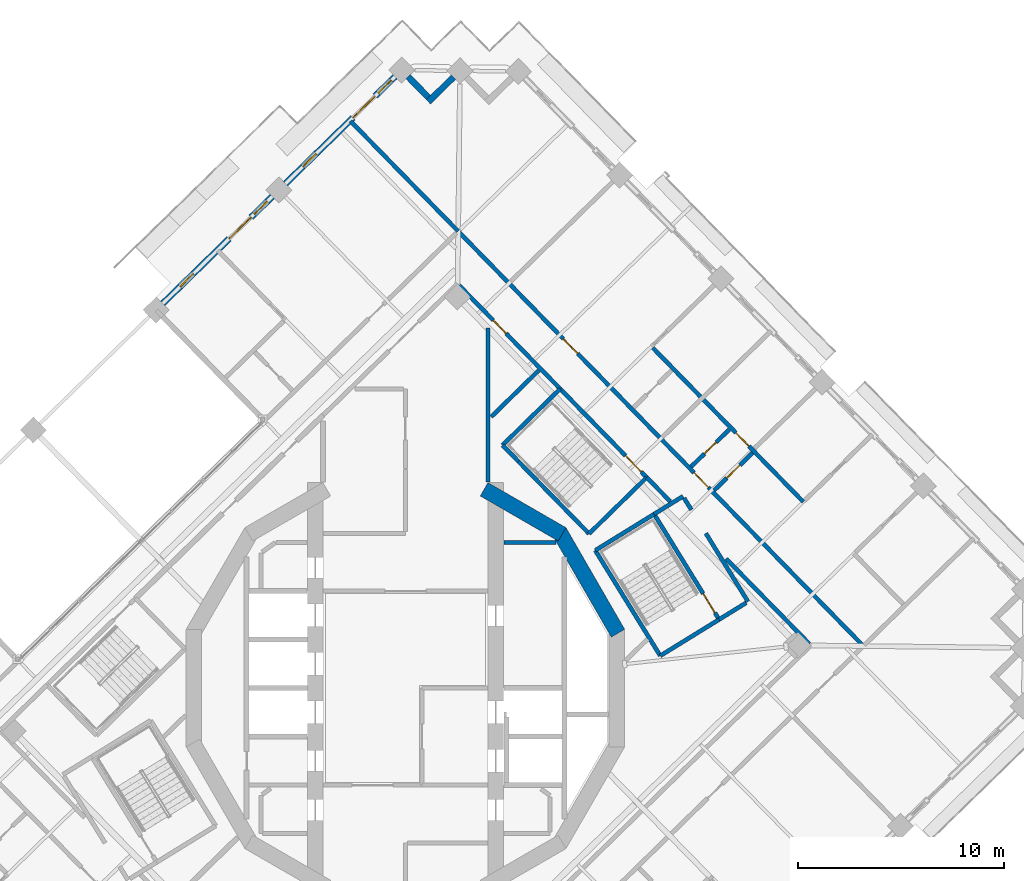
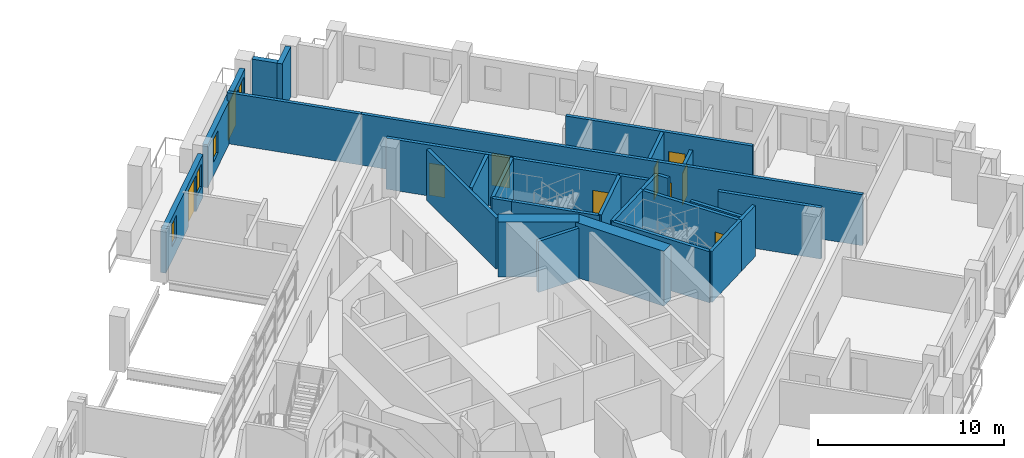
# One storey, part 12 of 21: 30 walls, 10 doors, 4 windows, 14 openings.
"""IFC4 building model written with IfcOpenShell, lengths in metres."""

from ifc_helpers import new_model, si_unit, direction, frame, frame_2d, origin, place, context, subcontext, project, spatial, rectangle, extrude, material, layer, layer_set, type_object, element, fill, save


model = new_model("IFC4")

# Units and contexts
model_context = context("Model", 3, precision=1e-05, world=origin(), true_north=direction((0.0, 1.0)))
body_context = subcontext(model_context, "Body", "Model", "MODEL_VIEW")
ifc_project = project(units=[si_unit("LENGTHUNIT", "METRE"), si_unit("AREAUNIT", "SQUARE_METRE"), si_unit("VOLUMEUNIT", "CUBIC_METRE"), si_unit("PLANEANGLEUNIT", "RADIAN"), si_unit("MASSUNIT", "GRAM", prefix="KILO")], contexts=[model_context])

# Site, building, storey
site_placement = place(None, origin())
site = spatial("IfcSite", under=ifc_project, at=site_placement, CompositionType="ELEMENT")
building_placement = place(site_placement, origin())
building = spatial("IfcBuilding", under=site, at=building_placement, Name="Cantera Rosa Tower", CompositionType="ELEMENT")
storey_placement = place(building_placement, frame((0.0, 0.0, 234.199951171875)))
storey = spatial("IfcBuildingStorey", under=building, at=storey_placement, Name="L51", CompositionType="ELEMENT", Elevation=234.199951171875)

# Wall
ifc_material_1 = material(Name="Gypsum board partition")
ifc_layer_1 = layer(ifc_material_1, 0.199951171875)
ifc_layer_set_1 = layer_set([ifc_layer_1], Name="CORRIDOR WALL 200 H2300")
wall_type_1 = type_object("IfcWallType", Name="CORRIDOR WALL 200 H2300", PredefinedType="PARTITIONING", material=ifc_layer_set_1)
wall_1_placement = place(storey_placement, frame((14.55810546875, 7.5009765625, 0.0), z_axis=(0.0, 0.0, 1.0), x_axis=(0.524986446256, -0.851110586967, 0.0)))
element("IfcWall", 1, at=wall_1_placement, inside=storey, type_object=wall_type_1, Name="CORRIDOR WALL L51-111", PredefinedType="PARTITIONING", context=body_context, shape_type="SweptSolid", body=[
    extrude(rectangle(XDim=3.890625, YDim=0.199951171875, at=frame_2d((1.9453125, 0.0))), origin(), (0.0, 0.0, 1.0), 2.300048828125),
])

# Wall, openings, doors
ifc_material_2 = material(Name="Gypsum board partition")
ifc_layer_2 = layer(ifc_material_2, 0.199951171875)
ifc_layer_set_2 = layer_set([ifc_layer_2], Name="CORRIDOR WALL 200 H3350")
wall_type_2 = type_object("IfcWallType", Name="CORRIDOR WALL 200 H3350", PredefinedType="PARTITIONING", material=ifc_layer_set_2)
wall_2_placement = place(storey_placement, frame((2.56982421875, 22.125244140625, 0.0), z_axis=(0.0, 0.0, 1.0), x_axis=(0.698835160182, -0.715282754506, 0.0)))
wall_2 = element("IfcWall", 2, at=wall_2_placement, inside=storey, type_object=wall_type_2, Name="CORRIDOR WALL L51-072", PredefinedType="PARTITIONING", context=body_context, shape_type="SweptSolid", body=[
    extrude(rectangle(XDim=27.97998046875, YDim=0.199951171875, at=frame_2d((13.989990234375, 0.0))), origin(), (0.0, 0.0, 1.0), 3.35009765625),
])
opening_1_placement = place(wall_2_placement, frame((16.330078125, 0.0, 0.0)))
opening_1 = element("IfcOpeningElement", 3, at=opening_1_placement, cuts=wall_2, Name="Opening L51-025", PredefinedType="OPENING", context=body_context, shape_type="SweptSolid", body=[
    extrude(rectangle(XDim=1.0, YDim=2.10009765625, at=frame_2d((0.5, 1.050048828125))), frame((0.0, 0.10986328125, 0.0), z_axis=(0.0, -1.0, 0.0), x_axis=(1.0, 0.0, 0.0)), (0.0, 0.0, 1.0), 0.219970703125),
])
opening_2_placement = place(wall_2_placement, frame((7.264892578125, 0.0, 0.0)))
opening_2 = element("IfcOpeningElement", 4, at=opening_2_placement, cuts=wall_2, Name="Opening L51-031", PredefinedType="OPENING", context=body_context, shape_type="SweptSolid", body=[
    extrude(rectangle(XDim=1.0, YDim=2.10009765625, at=frame_2d((0.5, 1.050048828125))), frame((0.0, 0.10986328125, 0.0), z_axis=(0.0, -1.0, 0.0), x_axis=(1.0, 0.0, 0.0)), (0.0, 0.0, 1.0), 0.219970703125),
])
ifc_material_3 = material(Name="Timber door leaf", Category="wood")
door_type_1 = type_object("IfcDoorType", Name="ENTRANCE DOOR 1000x2100", OperationType="NOTDEFINED", PredefinedType="DOOR", material=ifc_material_3)
door_1_placement = place(opening_1_placement, origin())
door_1 = element("IfcDoor", 5, at=door_1_placement, inside=storey, type_object=door_type_1, Name="DOOR L51-025", OperationType="NOTDEFINED", OverallHeight=2.10009765625, OverallWidth=1.0, PredefinedType="DOOR", context=body_context, shape_type="SweptSolid", body=[
    extrude(rectangle(XDim=1.0, YDim=2.10009765625, at=frame_2d((0.5, 1.050048828125))), frame((0.0, 0.02490234375, 0.0), z_axis=(0.0, -1.0, 0.0), x_axis=(1.0, 0.0, 0.0)), (0.0, 0.0, 1.0), 0.050048828125),
])
fill(opening_1, door_1)
door_2_placement = place(opening_2_placement, origin())
door_2 = element("IfcDoor", 6, at=door_2_placement, inside=storey, type_object=door_type_1, Name="DOOR L51-031", OperationType="NOTDEFINED", OverallHeight=2.10009765625, OverallWidth=1.0, PredefinedType="DOOR", context=body_context, shape_type="SweptSolid", body=[
    extrude(rectangle(XDim=1.0, YDim=2.10009765625, at=frame_2d((0.5, 1.050048828125))), frame((0.0, 0.02490234375, 0.0), z_axis=(0.0, -1.0, 0.0), x_axis=(1.0, 0.0, 0.0)), (0.0, 0.0, 1.0), 0.050048828125),
])
fill(opening_2, door_2)

# Wall
wall_3_placement = place(storey_placement, frame((4.0, 17.44189453125, 0.0), z_axis=(0.0, 0.0, 1.0), x_axis=(0.0, -1.0, 0.0)))
element("IfcWall", 7, at=wall_3_placement, inside=storey, type_object=wall_type_2, Name="CORRIDOR WALL L51-077", PredefinedType="PARTITIONING", context=body_context, shape_type="SweptSolid", body=[
    extrude(rectangle(XDim=7.44775390625, YDim=0.199951171875, at=frame_2d((3.723876953125, 0.0))), origin(), (0.0, 0.0, 1.0), 3.35009765625),
])

# Wall, opening, door
wall_4_placement = place(storey_placement, frame((7.498779296875, 14.50439453125, 0.0), z_axis=(0.0, 0.0, 1.0), x_axis=(-0.698822589619, 0.715295035799, 0.0)))
wall_4 = element("IfcWall", 8, at=wall_4_placement, inside=storey, type_object=wall_type_2, Name="CORRIDOR WALL L51-088", PredefinedType="PARTITIONING", context=body_context, shape_type="SweptSolid", body=[
    extrude(rectangle(XDim=6.99560546875, YDim=0.199951171875, at=frame_2d((3.497802734375, 0.0))), origin(), (0.0, 0.0, 1.0), 3.35009765625),
])
opening_3_placement = place(wall_4_placement, frame((3.7373046875, 0.0, 0.0)))
opening_3 = element("IfcOpeningElement", 9, at=opening_3_placement, cuts=wall_4, Name="Opening L51-007", PredefinedType="OPENING", context=body_context, shape_type="SweptSolid", body=[
    extrude(rectangle(XDim=0.89990234375, YDim=2.10009765625, at=frame_2d((0.449951171875, 1.050048828125))), frame((0.0, 0.10986328125, 0.0), z_axis=(0.0, -1.0, 0.0), x_axis=(1.0, 0.0, 0.0)), (0.0, 0.0, 1.0), 0.219970703125),
])
ifc_material_4 = material(Name="Timber door leaf", Category="wood")
door_type_2 = type_object("IfcDoorType", Name="SERVICE DOOR 900x2100", OperationType="NOTDEFINED", PredefinedType="DOOR", material=ifc_material_4)
door_3_placement = place(opening_3_placement, origin())
door_3 = element("IfcDoor", 10, at=door_3_placement, inside=storey, type_object=door_type_2, Name="DOOR L51-007", OperationType="NOTDEFINED", OverallHeight=2.10009765625, OverallWidth=0.89990234375, PredefinedType="DOOR", context=body_context, shape_type="SweptSolid", body=[
    extrude(rectangle(XDim=0.89990234375, YDim=2.10009765625, at=frame_2d((0.449951171875, 1.050048828125))), frame((0.0, 0.02490234375, 0.0), z_axis=(0.0, -1.0, 0.0), x_axis=(1.0, 0.0, 0.0)), (0.0, 0.0, 1.0), 0.050048828125),
])
fill(opening_3, door_3)

# Walls
wall_5_placement = place(storey_placement, frame((12.05078125, 8.4326171875, 0.0), z_axis=(0.0, 0.0, 1.0), x_axis=(0.851076929832, 0.525041007453, 0.0)))
element("IfcWall", 11, at=wall_5_placement, inside=storey, type_object=wall_type_2, Name="CORRIDOR WALL L51-105", PredefinedType="PARTITIONING", context=body_context, shape_type="SweptSolid", body=[
    extrude(rectangle(XDim=1.645263671875, YDim=0.199951171875, at=frame_2d((0.82275390625, 0.0))), origin(), (0.0, 0.0, 1.0), 3.35009765625),
])
wall_6_placement = place(storey_placement, frame((12.828125, 9.0498046875, 0.0), z_axis=(0.0, 0.0, 1.0), x_axis=(-0.698800279723, 0.715316831242, 0.0)))
element("IfcWall", 12, at=wall_6_placement, inside=storey, type_object=wall_type_2, Name="CORRIDOR WALL L51-109", PredefinedType="PARTITIONING", context=body_context, shape_type="SweptSolid", body=[
    extrude(rectangle(XDim=1.6259765625, YDim=0.199951171875, at=frame_2d((0.81298828125, 0.0))), origin(), (0.0, 0.0, 1.0), 3.35009765625),
])
wall_7_placement = place(storey_placement, frame((13.50341796875, 9.211181640625, 0.0), z_axis=(0.0, 0.0, 1.0), x_axis=(0.52487540685, -0.851179068871, 0.0)))
element("IfcWall", 13, at=wall_7_placement, inside=storey, type_object=wall_type_2, Name="CORRIDOR WALL L51-110", PredefinedType="PARTITIONING", context=body_context, shape_type="SweptSolid", body=[
    extrude(rectangle(XDim=0.6650390625, YDim=0.199951171875, at=frame_2d((0.33251953125, 0.0))), origin(), (0.0, 0.0, 1.0), 3.35009765625),
])
wall_8_placement = place(storey_placement, frame((15.20068359375, 3.325927734375, 0.0), z_axis=(0.0, 0.0, 1.0), x_axis=(0.851055543597, 0.525075672368, 0.0)))
element("IfcWall", 14, at=wall_8_placement, inside=storey, type_object=wall_type_2, Name="CORRIDOR WALL L51-114", PredefinedType="PARTITIONING", context=body_context, shape_type="SweptSolid", body=[
    extrude(rectangle(XDim=1.545166015625, YDim=0.199951171875, at=frame_2d((0.7724609375, 0.0))), origin(), (0.0, 0.0, 1.0), 3.35009765625),
])
wall_9_placement = place(storey_placement, frame((19.57763671875, 2.14111328125, 0.0), z_axis=(0.0, 0.0, 1.0), x_axis=(-0.698830151438, 0.715287648042, 0.0)))
element("IfcWall", 15, at=wall_9_placement, inside=storey, type_object=wall_type_2, Name="CORRIDOR WALL L51-120", PredefinedType="PARTITIONING", context=body_context, shape_type="SweptSolid", body=[
    extrude(rectangle(XDim=5.770751953125, YDim=0.199951171875, at=frame_2d((2.88525390625, 0.0))), origin(), (0.0, 0.0, 1.0), 3.35009765625),
])
ifc_material_5 = material(Name="Hollow clay masonry with cantera stone cladding", Category="masonry")
ifc_layer_3 = layer(ifc_material_5, 0.300048828125)
ifc_layer_set_3 = layer_set([ifc_layer_3], Name="EW-LOGGIA 300")
wall_type_3 = type_object("IfcWallType", Name="EW-LOGGIA 300", PredefinedType="SOLIDWALL", material=ifc_layer_set_3)
wall_10_placement = place(storey_placement, frame((2.324462890625, 29.602783203125, 0.0), z_axis=(0.0, 0.0, 1.0), x_axis=(-0.715316077832, -0.69880105094, 0.0)))
element("IfcWall", 16, at=wall_10_placement, inside=storey, type_object=wall_type_3, Name="EN-L51-W06a", PredefinedType="SOLIDWALL", context=body_context, shape_type="SweptSolid", body=[
    extrude(rectangle(XDim=1.699951171875, YDim=0.300048828125, at=frame_2d((0.85009765625, 0.0))), origin(), (0.0, 0.0, 1.0), 3.300048828125),
])
wall_11_placement = place(storey_placement, frame((1.111083984375, 28.626953125, 0.0), z_axis=(0.0, 0.0, 1.0), x_axis=(-0.698951192766, 0.71516937164, 0.0)))
element("IfcWall", 17, at=wall_11_placement, inside=storey, type_object=wall_type_3, Name="EN-L51-W06b", PredefinedType="SOLIDWALL", context=body_context, shape_type="SweptSolid", body=[
    extrude(rectangle(XDim=1.39990234375, YDim=0.300048828125, at=frame_2d((0.699951171875, 0.0))), origin(), (0.0, 0.0, 1.0), 3.300048828125),
])

# Wall, openings, windows, door
ifc_material_6 = material(Name="Hollow clay masonry with cantera stone cladding", Category="masonry")
ifc_layer_4 = layer(ifc_material_6, 0.300048828125)
ifc_layer_set_4 = layer_set([ifc_layer_4], Name="EW-LOGGIA 300 H2820")
wall_type_4 = type_object("IfcWallType", Name="EW-LOGGIA 300 H2820", PredefinedType="SOLIDWALL", material=ifc_layer_set_4)
wall_12_placement = place(storey_placement, frame((-0.503662109375, 29.6357421875, 0.0), z_axis=(0.0, 0.0, 1.0), x_axis=(-0.715284379566, -0.698833496871, 0.0)))
wall_12 = element("IfcWall", 18, at=wall_12_placement, inside=storey, type_object=wall_type_4, Name="EN-L51-W07", PredefinedType="SOLIDWALL", context=body_context, shape_type="SweptSolid", body=[
    extrude(rectangle(XDim=7.42041015625, YDim=0.300048828125, at=frame_2d((3.710205078125, 0.0))), origin(), (0.0, 0.0, 1.0), 2.820068359375),
])
opening_4_placement = place(wall_12_placement, frame((0.25, 0.0, 0.89990234375)))
opening_4 = element("IfcOpeningElement", 19, at=opening_4_placement, cuts=wall_12, Name="Opening L51-W13", PredefinedType="OPENING", context=body_context, shape_type="SweptSolid", body=[
    extrude(rectangle(XDim=0.89990234375, YDim=1.5, at=frame_2d((0.449951171875, 0.75))), frame((0.0, 0.159912109375, 0.0), z_axis=(0.0, -1.0, 0.0), x_axis=(1.0, 0.0, 0.0)), (0.0, 0.0, 1.0), 0.320068359375),
])
opening_5_placement = place(wall_12_placement, frame((1.35009765625, 0.0, 0.0)))
opening_5 = element("IfcOpeningElement", 20, at=opening_5_placement, cuts=wall_12, Name="Opening L51-TD14", PredefinedType="OPENING", context=body_context, shape_type="SweptSolid", body=[
    extrude(rectangle(XDim=1.5, YDim=2.39990234375, at=frame_2d((0.75, 1.199951171875))), frame((0.0, 0.159912109375, 0.0), z_axis=(0.0, -1.0, 0.0), x_axis=(1.0, 0.0, 0.0)), (0.0, 0.0, 1.0), 0.320068359375),
])
opening_6_placement = place(wall_12_placement, frame((5.340087890625, 0.0, 0.89990234375)))
opening_6 = element("IfcOpeningElement", 21, at=opening_6_placement, cuts=wall_12, Name="Opening L51-W15", PredefinedType="OPENING", context=body_context, shape_type="SweptSolid", body=[
    extrude(rectangle(XDim=0.89990234375, YDim=1.5, at=frame_2d((0.449951171875, 0.75))), frame((0.0, 0.159912109375, 0.0), z_axis=(0.0, -1.0, 0.0), x_axis=(1.0, 0.0, 0.0)), (0.0, 0.0, 1.0), 0.320068359375),
])
ifc_material_7 = material(Name="Aluminium frame with clear glass", Category="aluminium")
window_type = type_object("IfcWindowType", Name="Residential window 900x1500", PartitioningType="SINGLE_PANEL", PredefinedType="WINDOW", material=ifc_material_7)
window_1_placement = place(opening_4_placement, origin())
window_1 = element("IfcWindow", 22, at=window_1_placement, inside=storey, type_object=window_type, Name="WINDOW L51-W13", OverallHeight=1.5, OverallWidth=0.89990234375, PartitioningType="SINGLE_PANEL", PredefinedType="WINDOW", context=body_context, shape_type="SweptSolid", body=[
    extrude(rectangle(XDim=0.89990234375, YDim=1.5, at=frame_2d((0.449951171875, 0.75))), frame((0.0, 0.030029296875, 0.0), z_axis=(0.0, -1.0, 0.0), x_axis=(1.0, 0.0, 0.0)), (0.0, 0.0, 1.0), 0.06005859375),
])
fill(opening_4, window_1)
window_2_placement = place(opening_6_placement, origin())
window_2 = element("IfcWindow", 23, at=window_2_placement, inside=storey, type_object=window_type, Name="WINDOW L51-W15", OverallHeight=1.5, OverallWidth=0.89990234375, PartitioningType="SINGLE_PANEL", PredefinedType="WINDOW", context=body_context, shape_type="SweptSolid", body=[
    extrude(rectangle(XDim=0.89990234375, YDim=1.5, at=frame_2d((0.449951171875, 0.75))), frame((0.0, 0.030029296875, 0.0), z_axis=(0.0, -1.0, 0.0), x_axis=(1.0, 0.0, 0.0)), (0.0, 0.0, 1.0), 0.06005859375),
])
fill(opening_6, window_2)
ifc_material_8 = material(Name="Aluminium frame with clear glass", Category="aluminium")
door_type_3 = type_object("IfcDoorType", Name="TD-R 1500x2400", OperationType="NOTDEFINED", PredefinedType="DOOR", material=ifc_material_8)
door_4_placement = place(opening_5_placement, origin())
door_4 = element("IfcDoor", 24, at=door_4_placement, inside=storey, type_object=door_type_3, Name="LOGGIA DOOR L51-TD14", OperationType="SLIDING_TO_LEFT", OverallHeight=2.39990234375, OverallWidth=1.5, PredefinedType="DOOR", context=body_context, shape_type="SweptSolid", body=[
    extrude(rectangle(XDim=1.5, YDim=2.39990234375, at=frame_2d((0.75, 1.199951171875))), frame((0.0, 0.02490234375, 0.0), z_axis=(0.0, -1.0, 0.0), x_axis=(1.0, 0.0, 0.0)), (0.0, 0.0, 1.0), 0.050048828125),
])
fill(opening_5, door_4)

wall_13_placement = place(storey_placement, frame((-6.454833984375, 23.8212890625, 0.0), z_axis=(0.0, 0.0, 1.0), x_axis=(-0.715300826176, -0.698816662703, 0.0)))
wall_13 = element("IfcWall", 25, at=wall_13_placement, inside=storey, type_object=wall_type_4, Name="EN-L51-W08", PredefinedType="SOLIDWALL", context=body_context, shape_type="SweptSolid", body=[
    extrude(rectangle(XDim=7.420166015625, YDim=0.300048828125, at=frame_2d((3.7099609375, 0.0))), origin(), (0.0, 0.0, 1.0), 2.820068359375),
])
opening_7_placement = place(wall_13_placement, frame((0.330078125, 0.0, 0.89990234375)))
opening_7 = element("IfcOpeningElement", 26, at=opening_7_placement, cuts=wall_13, Name="Opening L51-W16", PredefinedType="OPENING", context=body_context, shape_type="SweptSolid", body=[
    extrude(rectangle(XDim=0.89990234375, YDim=1.5, at=frame_2d((0.449951171875, 0.75))), frame((0.0, 0.159912109375, 0.0), z_axis=(0.0, -1.0, 0.0), x_axis=(1.0, 0.0, 0.0)), (0.0, 0.0, 1.0), 0.320068359375),
])
opening_8_placement = place(wall_13_placement, frame((1.429931640625, 0.0, 0.0)))
opening_8 = element("IfcOpeningElement", 27, at=opening_8_placement, cuts=wall_13, Name="Opening L51-TD17", PredefinedType="OPENING", context=body_context, shape_type="SweptSolid", body=[
    extrude(rectangle(XDim=1.5, YDim=2.39990234375, at=frame_2d((0.75, 1.199951171875))), frame((0.0, 0.159912109375, 0.0), z_axis=(0.0, -1.0, 0.0), x_axis=(1.0, 0.0, 0.0)), (0.0, 0.0, 1.0), 0.320068359375),
])
opening_9_placement = place(wall_13_placement, frame((5.340087890625, 0.0, 0.89990234375)))
opening_9 = element("IfcOpeningElement", 28, at=opening_9_placement, cuts=wall_13, Name="Opening L51-W18", PredefinedType="OPENING", context=body_context, shape_type="SweptSolid", body=[
    extrude(rectangle(XDim=0.89990234375, YDim=1.5, at=frame_2d((0.449951171875, 0.75))), frame((0.0, 0.159912109375, 0.0), z_axis=(0.0, -1.0, 0.0), x_axis=(1.0, 0.0, 0.0)), (0.0, 0.0, 1.0), 0.320068359375),
])
window_3_placement = place(opening_7_placement, origin())
window_3 = element("IfcWindow", 29, at=window_3_placement, inside=storey, type_object=window_type, Name="WINDOW L51-W16", OverallHeight=1.5, OverallWidth=0.89990234375, PartitioningType="SINGLE_PANEL", PredefinedType="WINDOW", context=body_context, shape_type="SweptSolid", body=[
    extrude(rectangle(XDim=0.89990234375, YDim=1.5, at=frame_2d((0.449951171875, 0.75))), frame((0.0, 0.030029296875, 0.0), z_axis=(0.0, -1.0, 0.0), x_axis=(1.0, 0.0, 0.0)), (0.0, 0.0, 1.0), 0.06005859375),
])
fill(opening_7, window_3)
window_4_placement = place(opening_9_placement, origin())
window_4 = element("IfcWindow", 30, at=window_4_placement, inside=storey, type_object=window_type, Name="WINDOW L51-W18", OverallHeight=1.5, OverallWidth=0.89990234375, PartitioningType="SINGLE_PANEL", PredefinedType="WINDOW", context=body_context, shape_type="SweptSolid", body=[
    extrude(rectangle(XDim=0.89990234375, YDim=1.5, at=frame_2d((0.449951171875, 0.75))), frame((0.0, 0.030029296875, 0.0), z_axis=(0.0, -1.0, 0.0), x_axis=(1.0, 0.0, 0.0)), (0.0, 0.0, 1.0), 0.06005859375),
])
fill(opening_9, window_4)
door_5_placement = place(opening_8_placement, origin())
door_5 = element("IfcDoor", 31, at=door_5_placement, inside=storey, type_object=door_type_3, Name="LOGGIA DOOR L51-TD17", OperationType="SLIDING_TO_LEFT", OverallHeight=2.39990234375, OverallWidth=1.5, PredefinedType="DOOR", context=body_context, shape_type="SweptSolid", body=[
    extrude(rectangle(XDim=1.5, YDim=2.39990234375, at=frame_2d((0.75, 1.199951171875))), frame((0.0, 0.02490234375, 0.0), z_axis=(0.0, -1.0, 0.0), x_axis=(1.0, 0.0, 0.0)), (0.0, 0.0, 1.0), 0.050048828125),
])
fill(opening_8, door_5)

# Wall, opening, door
ifc_material_9 = material(Name="Gypsum board partition")
ifc_layer_5 = layer(ifc_material_9, 0.199951171875)
ifc_layer_set_5 = layer_set([ifc_layer_5], Name="PARTITION 200 H2450")
wall_type_5 = type_object("IfcWallType", Name="PARTITION 200 H2450", PredefinedType="PARTITIONING", material=ifc_layer_set_5)
wall_14_placement = place(storey_placement, frame((16.821533203125, 11.401611328125, 0.0), z_axis=(0.0, 0.0, 1.0), x_axis=(-0.715275742918, -0.69884233672, 0.0)))
wall_14 = element("IfcWall", 32, at=wall_14_placement, inside=storey, type_object=wall_type_5, Name="PARTITION L51-116", PredefinedType="PARTITIONING", context=body_context, shape_type="SweptSolid", body=[
    extrude(rectangle(XDim=2.599853515625, YDim=0.199951171875, at=frame_2d((1.2998046875, 0.0))), origin(), (0.0, 0.0, 1.0), 2.449951171875),
])
opening_10_placement = place(wall_14_placement, frame((0.85009765625, 0.0, 0.0)))
opening_10 = element("IfcOpeningElement", 33, at=opening_10_placement, cuts=wall_14, Name="Opening L51-027", PredefinedType="OPENING", context=body_context, shape_type="SweptSolid", body=[
    extrude(rectangle(XDim=0.89990234375, YDim=2.10009765625, at=frame_2d((0.449951171875, 1.050048828125))), frame((0.0, 0.10986328125, 0.0), z_axis=(0.0, -1.0, 0.0), x_axis=(1.0, 0.0, 0.0)), (0.0, 0.0, 1.0), 0.219970703125),
])
ifc_material_10 = material(Name="Timber door leaf", Category="wood")
door_type_4 = type_object("IfcDoorType", Name="ROOM DOOR 900x2100", OperationType="NOTDEFINED", PredefinedType="DOOR", material=ifc_material_10)
door_6_placement = place(opening_10_placement, origin())
door_6 = element("IfcDoor", 34, at=door_6_placement, inside=storey, type_object=door_type_4, Name="DOOR L51-027", OperationType="NOTDEFINED", OverallHeight=2.10009765625, OverallWidth=0.89990234375, PredefinedType="DOOR", context=body_context, shape_type="SweptSolid", body=[
    extrude(rectangle(XDim=0.89990234375, YDim=2.10009765625, at=frame_2d((0.449951171875, 1.050048828125))), frame((0.0, 0.02490234375, 0.0), z_axis=(0.0, -1.0, 0.0), x_axis=(1.0, 0.0, 0.0)), (0.0, 0.0, 1.0), 0.050048828125),
])
fill(opening_10, door_6)

# Walls
ifc_material_11 = material(Name="Gypsum board partition")
ifc_layer_6 = layer(ifc_material_11, 0.199951171875)
ifc_layer_set_6 = layer_set([ifc_layer_6], Name="PARTITION 200 H3350")
wall_type_6 = type_object("IfcWallType", Name="PARTITION 200 H3350", PredefinedType="PARTITIONING", material=ifc_layer_set_6)
wall_15_placement = place(storey_placement, frame((-2.664306640625, 27.482666015625, 0.0), z_axis=(0.0, 0.0, 1.0), x_axis=(0.698839096465, -0.715278908715, 0.0)))
element("IfcWall", 35, at=wall_15_placement, inside=storey, type_object=wall_type_6, Name="PARTITION L51-052", PredefinedType="PARTITIONING", context=body_context, shape_type="SweptSolid", body=[
    extrude(rectangle(XDim=7.4697265625, YDim=0.199951171875, at=frame_2d((3.73486328125, 0.0))), origin(), (0.0, 0.0, 1.0), 3.35009765625),
])
wall_16_placement = place(storey_placement, frame((4.780029296875, 7.050048828125, 0.0), z_axis=(0.0, 0.0, 1.0), x_axis=(1.0, 0.0, 0.0)))
element("IfcWall", 36, at=wall_16_placement, inside=storey, type_object=wall_type_6, Name="PARTITION L51-080", PredefinedType="PARTITIONING", context=body_context, shape_type="SweptSolid", body=[
    extrude(rectangle(XDim=2.517822265625, YDim=0.199951171875, at=frame_2d((1.2587890625, 0.0))), origin(), (0.0, 0.0, 1.0), 3.35009765625),
])
wall_17_placement = place(storey_placement, frame((6.458740234375, 15.3974609375, 0.0), z_axis=(0.0, 0.0, 1.0), x_axis=(-0.715254439493, -0.698864140434, 0.0)))
element("IfcWall", 37, at=wall_17_placement, inside=storey, type_object=wall_type_6, Name="PARTITION L51-085", PredefinedType="PARTITIONING", context=body_context, shape_type="SweptSolid", body=[
    extrude(rectangle(XDim=3.217529296875, YDim=0.199951171875, at=frame_2d((1.60888671875, 0.0))), origin(), (0.0, 0.0, 1.0), 3.35009765625),
])

# Wall, opening, door
wall_18_placement = place(storey_placement, frame((11.994140625, 16.485595703125, 0.0), z_axis=(0.0, 0.0, 1.0), x_axis=(0.698843147981, -0.715274950295, 0.0)))
wall_18 = element("IfcWall", 38, at=wall_18_placement, inside=storey, type_object=wall_type_6, Name="PARTITION L51-104", PredefinedType="PARTITIONING", context=body_context, shape_type="SweptSolid", body=[
    extrude(rectangle(XDim=10.43017578125, YDim=0.199951171875, at=frame_2d((5.215087890625, 0.0))), origin(), (0.0, 0.0, 1.0), 3.35009765625),
])
opening_11_placement = place(wall_18_placement, frame((5.760009765625, 0.0, 0.0)))
opening_11 = element("IfcOpeningElement", 39, at=opening_11_placement, cuts=wall_18, Name="Opening L51-028", PredefinedType="OPENING", context=body_context, shape_type="SweptSolid", body=[
    extrude(rectangle(XDim=0.89990234375, YDim=2.10009765625, at=frame_2d((0.449951171875, 1.050048828125))), frame((0.0, 0.10986328125, 0.0), z_axis=(0.0, -1.0, 0.0), x_axis=(1.0, 0.0, 0.0)), (0.0, 0.0, 1.0), 0.219970703125),
])
door_7_placement = place(opening_11_placement, origin())
door_7 = element("IfcDoor", 40, at=door_7_placement, inside=storey, type_object=door_type_4, Name="DOOR L51-028", OperationType="NOTDEFINED", OverallHeight=2.10009765625, OverallWidth=0.89990234375, PredefinedType="DOOR", context=body_context, shape_type="SweptSolid", body=[
    extrude(rectangle(XDim=0.89990234375, YDim=2.10009765625, at=frame_2d((0.449951171875, 1.050048828125))), frame((0.0, 0.02490234375, 0.0), z_axis=(0.0, -1.0, 0.0), x_axis=(1.0, 0.0, 0.0)), (0.0, 0.0, 1.0), 0.050048828125),
])
fill(opening_11, door_7)

wall_19_placement = place(storey_placement, frame((15.689208984375, 12.531982421875, 0.0), z_axis=(0.0, 0.0, 1.0), x_axis=(-0.715337680074, -0.69877893748, 0.0)))
wall_19 = element("IfcWall", 41, at=wall_19_placement, inside=storey, type_object=wall_type_6, Name="PARTITION L51-115", PredefinedType="PARTITIONING", context=body_context, shape_type="SweptSolid", body=[
    extrude(rectangle(XDim=2.580078125, YDim=0.199951171875, at=frame_2d((1.2900390625, 0.0))), origin(), (0.0, 0.0, 1.0), 3.35009765625),
])
opening_12_placement = place(wall_19_placement, frame((0.8798828125, 0.0, 0.0)))
opening_12 = element("IfcOpeningElement", 42, at=opening_12_placement, cuts=wall_19, Name="Opening L51-026", PredefinedType="OPENING", context=body_context, shape_type="SweptSolid", body=[
    extrude(rectangle(XDim=0.800048828125, YDim=2.10009765625, at=frame_2d((0.39990234375, 1.050048828125))), frame((0.0, 0.10986328125, 0.0), z_axis=(0.0, -1.0, 0.0), x_axis=(1.0, 0.0, 0.0)), (0.0, 0.0, 1.0), 0.219970703125),
])
ifc_material_12 = material(Name="Timber door leaf", Category="wood")
door_type_5 = type_object("IfcDoorType", Name="BATHROOM DOOR 800x2100", OperationType="NOTDEFINED", PredefinedType="DOOR", material=ifc_material_12)
door_8_placement = place(opening_12_placement, origin())
door_8 = element("IfcDoor", 43, at=door_8_placement, inside=storey, type_object=door_type_5, Name="DOOR L51-026", OperationType="NOTDEFINED", OverallHeight=2.10009765625, OverallWidth=0.800048828125, PredefinedType="DOOR", context=body_context, shape_type="SweptSolid", body=[
    extrude(rectangle(XDim=0.800048828125, YDim=2.10009765625, at=frame_2d((0.39990234375, 1.050048828125))), frame((0.0, 0.02490234375, 0.0), z_axis=(0.0, -1.0, 0.0), x_axis=(1.0, 0.0, 0.0)), (0.0, 0.0, 1.0), 0.050048828125),
])
fill(opening_12, door_8)

# Walls
ifc_material_13 = material(Name="Concrete C60/75", Category="concrete")
ifc_layer_7 = layer(ifc_material_13, 0.75)
ifc_layer_set_7 = layer_set([ifc_layer_7], Name="RC CORE WALL 750 C60/75")
wall_type_7 = type_object("IfcWallType", Name="RC CORE WALL 750 C60/75", PredefinedType="SHEAR", material=ifc_layer_set_7)
wall_20_placement = place(storey_placement, frame((3.8125, 9.634765625, 0.0), z_axis=(0.0, 0.0, 1.0), x_axis=(0.866013176292, -0.50002117804, 0.0)))
element("IfcWall", 44, at=wall_20_placement, inside=storey, type_object=wall_type_7, Name="CW-E1 L51", PredefinedType="SHEAR", context=body_context, shape_type="SweptSolid", body=[
    extrude(rectangle(XDim=4.362548828125, YDim=0.75, at=frame_2d((2.18115234375, 0.0))), origin(), (0.0, 0.0, 1.0), 3.60009765625),
])
wall_21_placement = place(storey_placement, frame((7.453369140625, 7.590576171875, 0.0), z_axis=(0.0, 0.0, 1.0), x_axis=(0.500021842983, -0.866012792365, 0.0)))
element("IfcWall", 45, at=wall_21_placement, inside=storey, type_object=wall_type_7, Name="CW-E2 L51", PredefinedType="SHEAR", context=body_context, shape_type="SweptSolid", body=[
    extrude(rectangle(XDim=5.694091796875, YDim=0.75, at=frame_2d((2.84716796875, 0.0))), origin(), (0.0, 0.0, 1.0), 3.60009765625),
])
ifc_material_14 = material(Name="Concrete C50/60", Category="concrete")
ifc_layer_8 = layer(ifc_material_14, 0.199951171875)
ifc_layer_set_8 = layer_set([ifc_layer_8], Name="STAIR WALL 200 H3350")
wall_type_8 = type_object("IfcWallType", Name="STAIR WALL 200 H3350", PredefinedType="SOLIDWALL", material=ifc_layer_set_8)
wall_22_placement = place(storey_placement, frame((4.705322265625, 11.775390625, 0.0), z_axis=(0.0, 0.0, 1.0), x_axis=(0.715310770212, 0.698806483956, 0.0)))
element("IfcWall", 46, at=wall_22_placement, inside=storey, type_object=wall_type_8, Name="STAIR WALL L51-078", PredefinedType="SOLIDWALL", context=body_context, shape_type="SweptSolid", body=[
    extrude(rectangle(XDim=3.9052734375, YDim=0.199951171875, at=frame_2d((1.95263671875, 0.0))), origin(), (0.0, 0.0, 1.0), 3.35009765625),
])
wall_23_placement = place(storey_placement, frame((8.8984375, 7.483642578125, 0.0), z_axis=(0.0, 0.0, 1.0), x_axis=(-0.698837952642, 0.715280026246, 0.0)))
element("IfcWall", 47, at=wall_23_placement, inside=storey, type_object=wall_type_8, Name="STAIR WALL L51-094", PredefinedType="SOLIDWALL", context=body_context, shape_type="SweptSolid", body=[
    extrude(rectangle(XDim=4.89990234375, YDim=0.199951171875, at=frame_2d((2.449951171875, 0.0))), origin(), (0.0, 0.0, 1.0), 3.35009765625),
])
wall_24_placement = place(storey_placement, frame((9.199462890625, 6.674072265625, 0.0), z_axis=(0.0, 0.0, 1.0), x_axis=(0.85113993661, 0.524938861495, 0.0)))
element("IfcWall", 48, at=wall_24_placement, inside=storey, type_object=wall_type_8, Name="STAIR WALL L51-095", PredefinedType="SOLIDWALL", context=body_context, shape_type="SweptSolid", body=[
    extrude(rectangle(XDim=3.35009765625, YDim=0.199951171875, at=frame_2d((1.675048828125, 0.0))), origin(), (0.0, 0.0, 1.0), 3.35009765625),
])
wall_25_placement = place(storey_placement, frame((9.199462890625, 6.674072265625, 0.0), z_axis=(0.0, 0.0, 1.0), x_axis=(0.524982543144, -0.851112994493, 0.0)))
element("IfcWall", 49, at=wall_25_placement, inside=storey, type_object=wall_type_8, Name="STAIR WALL L51-096", PredefinedType="SOLIDWALL", context=body_context, shape_type="SweptSolid", body=[
    extrude(rectangle(XDim=6.0, YDim=0.199951171875, at=frame_2d((3.0, 0.0))), origin(), (0.0, 0.0, 1.0), 3.35009765625),
])

# Wall, opening, door
wall_26_placement = place(storey_placement, frame((11.69189453125, 10.212890625, 0.0), z_axis=(0.0, 0.0, 1.0), x_axis=(-0.698860098963, 0.71525838833, 0.0)))
wall_26 = element("IfcWall", 50, at=wall_26_placement, inside=storey, type_object=wall_type_8, Name="STAIR WALL L51-101", PredefinedType="SOLIDWALL", context=body_context, shape_type="SweptSolid", body=[
    extrude(rectangle(XDim=6.0, YDim=0.199951171875, at=frame_2d((3.0, 0.0))), origin(), (0.0, 0.0, 1.0), 3.35009765625),
])
opening_13_placement = place(wall_26_placement, frame((0.375, 0.0, 0.0)))
opening_13 = element("IfcOpeningElement", 51, at=opening_13_placement, cuts=wall_26, Name="Opening L51-003", PredefinedType="OPENING", context=body_context, shape_type="SweptSolid", body=[
    extrude(rectangle(XDim=1.10009765625, YDim=2.10009765625, at=frame_2d((0.550048828125, 1.050048828125))), frame((0.0, 0.10986328125, 0.0), z_axis=(0.0, -1.0, 0.0), x_axis=(1.0, 0.0, 0.0)), (0.0, 0.0, 1.0), 0.219970703125),
])
ifc_material_15 = material(Name="Steel S355J2 (EN 10025-2)", Category="steel")
door_type_6 = type_object("IfcDoorType", Name="STAIR DOOR 1100x2100", OperationType="NOTDEFINED", PredefinedType="DOOR", material=ifc_material_15)
door_9_placement = place(opening_13_placement, origin())
door_9 = element("IfcDoor", 52, at=door_9_placement, inside=storey, type_object=door_type_6, Name="DOOR L51-003", OperationType="NOTDEFINED", OverallHeight=2.10009765625, OverallWidth=1.10009765625, PredefinedType="DOOR", context=body_context, shape_type="SweptSolid", body=[
    extrude(rectangle(XDim=1.10009765625, YDim=2.10009765625, at=frame_2d((0.550048828125, 1.050048828125))), frame((0.0, 0.02490234375, 0.0), z_axis=(0.0, -1.0, 0.0), x_axis=(1.0, 0.0, 0.0)), (0.0, 0.0, 1.0), 0.050048828125),
])
fill(opening_13, door_9)

# Wall
wall_27_placement = place(storey_placement, frame((11.69189453125, 10.212890625, 0.0), z_axis=(0.0, 0.0, 1.0), x_axis=(-0.715279521258, -0.698838469511, 0.0)))
element("IfcWall", 53, at=wall_27_placement, inside=storey, type_object=wall_type_8, Name="STAIR WALL L51-102", PredefinedType="SOLIDWALL", context=body_context, shape_type="SweptSolid", body=[
    extrude(rectangle(XDim=3.905517578125, YDim=0.199951171875, at=frame_2d((1.95263671875, 0.0))), origin(), (0.0, 0.0, 1.0), 3.35009765625),
])

# Wall, opening, door
wall_28_placement = place(storey_placement, frame((12.05078125, 8.4326171875, 0.0), z_axis=(0.0, 0.0, 1.0), x_axis=(0.524982543144, -0.851112994493, 0.0)))
wall_28 = element("IfcWall", 54, at=wall_28_placement, inside=storey, type_object=wall_type_8, Name="STAIR WALL L51-106", PredefinedType="SOLIDWALL", context=body_context, shape_type="SweptSolid", body=[
    extrude(rectangle(XDim=6.0, YDim=0.199951171875, at=frame_2d((3.0, 0.0))), origin(), (0.0, 0.0, 1.0), 3.35009765625),
])
opening_14_placement = place(wall_28_placement, frame((4.52490234375, 0.0, 0.0)))
opening_14 = element("IfcOpeningElement", 55, at=opening_14_placement, cuts=wall_28, Name="Opening L51-001", PredefinedType="OPENING", context=body_context, shape_type="SweptSolid", body=[
    extrude(rectangle(XDim=1.10009765625, YDim=2.10009765625, at=frame_2d((0.550048828125, 1.050048828125))), frame((0.0, 0.10986328125, 0.0), z_axis=(0.0, -1.0, 0.0), x_axis=(1.0, 0.0, 0.0)), (0.0, 0.0, 1.0), 0.219970703125),
])
door_10_placement = place(opening_14_placement, origin())
door_10 = element("IfcDoor", 56, at=door_10_placement, inside=storey, type_object=door_type_6, Name="DOOR L51-001", OperationType="NOTDEFINED", OverallHeight=2.10009765625, OverallWidth=1.10009765625, PredefinedType="DOOR", context=body_context, shape_type="SweptSolid", body=[
    extrude(rectangle(XDim=1.10009765625, YDim=2.10009765625, at=frame_2d((0.550048828125, 1.050048828125))), frame((0.0, 0.02490234375, 0.0), z_axis=(0.0, -1.0, 0.0), x_axis=(1.0, 0.0, 0.0)), (0.0, 0.0, 1.0), 0.050048828125),
])
fill(opening_14, door_10)

# Walls
wall_29_placement = place(storey_placement, frame((12.349365234375, 1.5673828125, 0.0), z_axis=(0.0, 0.0, 1.0), x_axis=(0.85113993661, 0.524938861495, 0.0)))
element("IfcWall", 57, at=wall_29_placement, inside=storey, type_object=wall_type_8, Name="STAIR WALL L51-107", PredefinedType="SOLIDWALL", context=body_context, shape_type="SweptSolid", body=[
    extrude(rectangle(XDim=3.35009765625, YDim=0.199951171875, at=frame_2d((1.675048828125, 0.0))), origin(), (0.0, 0.0, 1.0), 3.35009765625),
])
wall_30_placement = place(storey_placement, frame((5.47412109375, 10.988525390625, 0.0), z_axis=(0.0, 0.0, 1.0), x_axis=(-0.698847807351, 0.715270397934, 0.0)))
element("IfcWall", 58, at=wall_30_placement, inside=storey, type_object=wall_type_8, Name="STAIR WALL L51-094 J", PredefinedType="SOLIDWALL", context=body_context, shape_type="SweptSolid", body=[
    extrude(rectangle(XDim=1.10009765625, YDim=0.199951171875, at=frame_2d((0.550048828125, 0.0))), origin(), (0.0, 0.0, 1.0), 3.35009765625),
])

save(model, "model.ifc")
